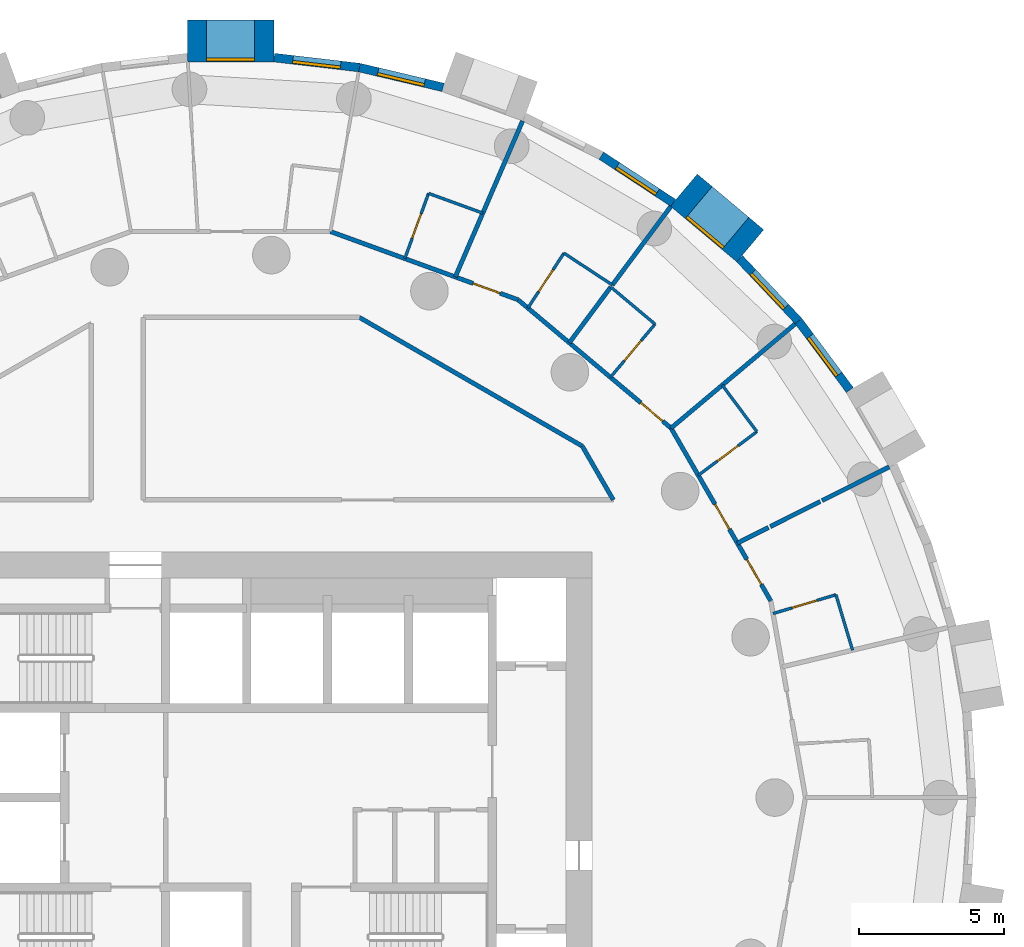
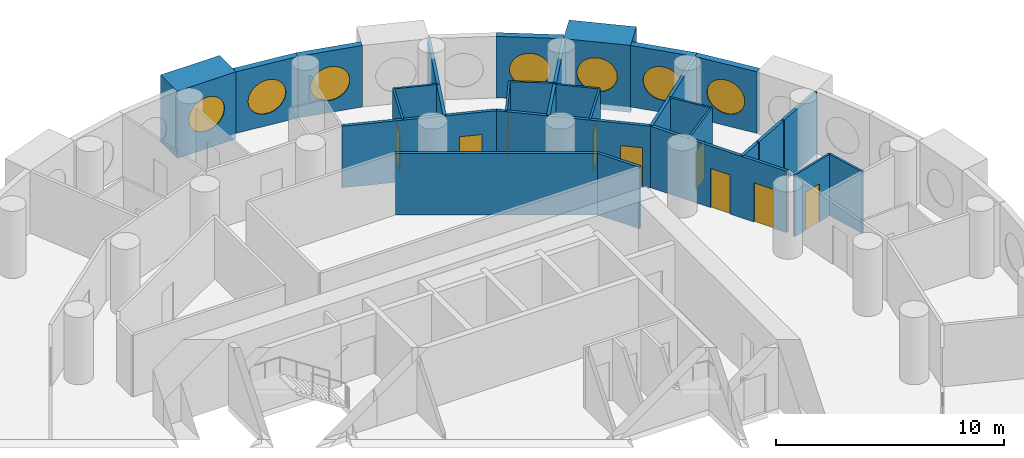
# One storey, part 7 of 9: 29 walls, 9 doors, 7 windows, 16 openings.
"""IFC4 building model written with IfcOpenShell, lengths in metres."""

import ifcopenshell
import ifcopenshell.guid

model = None  # the IFC model being written
_history = None  # IfcOwnerHistory: only IFC2X3 demands one
_inside = {}  # id of a spatial element -> (the spatial element, [elements in it])
_under = {}  # id of a project, library or spatial element -> (it, [spatial elements below it])
_declared = {}  # id of a project -> (the project, [libraries it declares])
_typed = {}  # id of a type object -> (the type object, [elements of that type])
_made_of = {}  # id of a material, layer set ... -> (it, [elements and type objects made of it])


def new_model(schema):
    """Start an empty IFC model of exactly this schema.

    Asked for "IFC4X3", IfcOpenShell would pick the latest addendum, in which some entities
    have other attributes; the version numbers below select the first issue.
    IFC2X3 requires an IfcOwnerHistory on every rooted entity: one is made here for all.
    """
    global model, _history
    if schema == "IFC4X3":
        model = ifcopenshell.file(schema_version=(4, 3, 0, 0))
    else:
        model = ifcopenshell.file(schema=schema)
    _inside.clear()
    _under.clear()
    _declared.clear()
    _typed.clear()
    _made_of.clear()
    _history = None
    if model.schema == "IFC2X3":
        org = make("IfcOrganization", Name="unknown")
        user = make(
            "IfcPersonAndOrganization",
            ThePerson=make("IfcPerson", FamilyName="unknown"),
            TheOrganization=org,
        )
        app = make(
            "IfcApplication",
            ApplicationDeveloper=org,
            Version="unknown",
            ApplicationFullName="unknown",
            ApplicationIdentifier="unknown",
        )
        _history = make(
            "IfcOwnerHistory",
            OwningUser=user,
            OwningApplication=app,
            ChangeAction="ADDED",
            CreationDate=0,
        )
    return model


def make(cls, **values):
    """One entity of the class cls with the attributes given. An attribute that is None is left unset."""
    return model.create_entity(
        cls, **{name: value for name, value in values.items() if value is not None}
    )


def rooted(cls, **values):
    """An entity with a GlobalId (a new one), such as an element, a storey or a relation."""
    return make(cls, GlobalId=ifcopenshell.guid.new(), OwnerHistory=_history, **values)


def si_unit(unit_type, name, prefix=None):
    """IfcSIUnit, for example si_unit("LENGTHUNIT", "METRE", prefix="MILLI")."""
    return make("IfcSIUnit", UnitType=unit_type, Prefix=prefix, Name=name)


def assignment(units):
    """IfcUnitAssignment: the units of a project."""
    return None if units is None else make("IfcUnitAssignment", Units=units)


def point(xyz):
    """IfcCartesianPoint."""
    return None if xyz is None else make("IfcCartesianPoint", Coordinates=xyz)


def direction(xyz):
    """IfcDirection."""
    return None if xyz is None else make("IfcDirection", DirectionRatios=xyz)


def frame(location, z_axis=None, x_axis=None):
    """IfcAxis2Placement3D, a coordinate frame: its origin and axes. An axis left out is left unset."""
    return make(
        "IfcAxis2Placement3D",
        Location=point(location),
        Axis=direction(z_axis),
        RefDirection=direction(x_axis),
    )


def frame_2d(location, x_axis=None):
    """IfcAxis2Placement2D, a coordinate frame in the plane: its origin and x axis."""
    return make(
        "IfcAxis2Placement2D", Location=point(location), RefDirection=direction(x_axis)
    )


def origin():
    """The frame at (0, 0, 0) with its axes left unset."""
    return frame((0.0, 0.0, 0.0))


def origin_2d():
    """The frame at (0, 0) in the plane with its x axis left unset."""
    return frame_2d((0.0, 0.0))


def place(relative_to, where):
    """IfcLocalPlacement: puts the frame where relative to a parent placement (None: the world)."""
    return make(
        "IfcLocalPlacement", PlacementRelTo=relative_to, RelativePlacement=where
    )


def context(
    kind, dimensions, precision=None, world=None, true_north=None, identifier=None
):
    """IfcGeometricRepresentationContext, for example the 3D "Model" context."""
    return make(
        "IfcGeometricRepresentationContext",
        ContextIdentifier=identifier,
        ContextType=kind,
        CoordinateSpaceDimension=dimensions,
        Precision=precision,
        WorldCoordinateSystem=world,
        TrueNorth=true_north,
    )


def subcontext(parent, identifier, kind, view, scale=None):
    """IfcGeometricRepresentationSubContext, for example "Body" below "Model"."""
    return make(
        "IfcGeometricRepresentationSubContext",
        ContextIdentifier=identifier,
        ContextType=kind,
        ParentContext=parent,
        TargetScale=scale,
        TargetView=view,
    )


def project(units=None, contexts=None):
    """IfcProject with its units and contexts."""
    return rooted(
        "IfcProject",
        Name="project",
        RepresentationContexts=contexts,
        UnitsInContext=assignment(units),
    )


def spatial(cls, under=None, at=None, **own):
    """A site, building, storey or space (cls), placed at a placement, below another one or the project."""
    s = rooted(cls, ObjectPlacement=at, **own)
    if under is not None:
        _under.setdefault(under.id(), (under, []))[1].append(s)
    return s


def profile(cls, at=None, kind="AREA", **sizes):
    """A parametric profile (cls). Its sizes go by their IFC names, for example OverallWidth=200.0."""
    return make(cls, ProfileType=kind, Position=at, **sizes)


def rectangle(**sizes):
    """IfcRectangleProfileDef."""
    return profile("IfcRectangleProfileDef", **sizes)


def circle(**sizes):
    """IfcCircleProfileDef."""
    return profile("IfcCircleProfileDef", **sizes)


def extrude(swept, where, along, depth):
    """IfcExtrudedAreaSolid: the profile swept, set in the frame where, extruded along a direction by depth."""
    return make(
        "IfcExtrudedAreaSolid",
        SweptArea=swept,
        Position=where,
        ExtrudedDirection=direction(along),
        Depth=depth,
    )


def shape(context_of_items, identifier, shape_type, items):
    """IfcShapeRepresentation: the items that make up one representation, for example the "Body"."""
    return make(
        "IfcShapeRepresentation",
        ContextOfItems=context_of_items,
        RepresentationIdentifier=identifier,
        RepresentationType=shape_type,
        Items=items,
    )


def material(Name=None, Category=None):
    """IfcMaterial."""
    return make("IfcMaterial", Name=Name, Category=Category)


def layer(
    of_material, thickness, ventilated=None, Name=None, Category=None, Priority=None
):
    """IfcMaterialLayer: one layer of a wall or slab, of a material (None: an air gap)."""
    return make(
        "IfcMaterialLayer",
        Material=of_material,
        LayerThickness=thickness,
        IsVentilated=ventilated,
        Name=Name,
        Category=Category,
        Priority=Priority,
    )


def layer_set(layers, Name=None):
    """IfcMaterialLayerSet."""
    return make("IfcMaterialLayerSet", MaterialLayers=layers, LayerSetName=Name)


def made_of(thing, what):
    """Note that an element or type object is made of a material, layer set ...; save() writes the relation."""
    if what is not None:
        _made_of.setdefault(what.id(), (what, []))[1].append(thing)
    return thing


def type_object(cls, material=None, **own):
    """A type object (cls), such as IfcWallType, which elements share."""
    return made_of(rooted(cls, **own), material)


def element(
    cls,
    number,
    at=None,
    inside=None,
    cuts=None,
    type_object=None,
    material=None,
    context=None,
    identifier="Body",
    shape_type=None,
    held_by="IfcProductDefinitionShape",
    body=None,
    shapes=None,
    **own,
):
    """One element of the class cls, such as IfcWall. Its Tag is "e" and its number.

    at: its placement. inside: the storey or other place that contains it. cuts: it is an
    opening in that element (IfcRelVoidsElement). A single representation is given by context,
    identifier, shape_type and body (its items); several are given by shapes. held_by: the class
    of the entity that holds the representations. save() writes the other relations.
    """
    e = rooted(cls, Tag="e%d" % number, ObjectPlacement=at, **own)
    if body is not None:
        shapes = [shape(context, identifier, shape_type, body)]
    if shapes is not None:
        e.Representation = make(held_by, Representations=shapes)
    if inside is not None:
        _inside.setdefault(inside.id(), (inside, []))[1].append(e)
    if cuts is not None:
        rooted(
            "IfcRelVoidsElement", RelatingBuildingElement=cuts, RelatedOpeningElement=e
        )
    if type_object is not None:
        _typed.setdefault(type_object.id(), (type_object, []))[1].append(e)
    return made_of(e, material)


def fill(opening, filler):
    """IfcRelFillsElement: the door or window that sits in an opening."""
    return rooted(
        "IfcRelFillsElement",
        RelatingOpeningElement=opening,
        RelatedBuildingElement=filler,
    )


def aggregate(whole, parts):
    """IfcRelAggregates: a whole, such as a stair, and the parts it consists of."""
    return rooted("IfcRelAggregates", RelatingObject=whole, RelatedObjects=parts)


def save(model, path):
    """Write the relations noted so far, then the file.

    IfcRelAggregates (storeys below a building ...), IfcRelContainedInSpatialStructure (elements
    in a storey), IfcRelDefinesByType, IfcRelAssociatesMaterial and IfcRelDeclares: one each for
    every whole, place, type object, material and project.
    """
    for whole, parts in _under.values():
        aggregate(whole, parts)
    for where, things in _inside.values():
        rooted(
            "IfcRelContainedInSpatialStructure",
            RelatedElements=things,
            RelatingStructure=where,
        )
    for kind, things in _typed.values():
        rooted("IfcRelDefinesByType", RelatedObjects=things, RelatingType=kind)
    for what, things in _made_of.values():
        rooted("IfcRelAssociatesMaterial", RelatedObjects=things, RelatingMaterial=what)
    for by, libraries in _declared.values():
        rooted("IfcRelDeclares", RelatingContext=by, RelatedDefinitions=libraries)
    model.write(path)


model = new_model("IFC4")

# Units and contexts
model_context = context("Model", 3, precision=1e-05, world=origin(), true_north=direction((0.0, 1.0)))
body_context = subcontext(model_context, "Body", "Model", "MODEL_VIEW")
ifc_project = project(units=[si_unit("LENGTHUNIT", "METRE"), si_unit("AREAUNIT", "SQUARE_METRE"), si_unit("VOLUMEUNIT", "CUBIC_METRE"), si_unit("PLANEANGLEUNIT", "RADIAN"), si_unit("MASSUNIT", "GRAM", prefix="KILO")], contexts=[model_context])

# Site, building, storey
site_placement = place(None, origin())
site = spatial("IfcSite", under=ifc_project, at=site_placement, CompositionType="ELEMENT")
building_placement = place(site_placement, origin())
building = spatial("IfcBuilding", under=site, at=building_placement, Name="Tracery Tower", CompositionType="ELEMENT")
storey_placement = place(building_placement, frame((0.0, 0.0, 162.0)))
storey = spatial("IfcBuildingStorey", under=building, at=storey_placement, Name="L41", CompositionType="ELEMENT", Elevation=162.0)

# Wall, opening, window
ifc_material_1 = material(Name="Precast concrete C50/60", Category="concrete")
ifc_layer_1 = layer(ifc_material_1, 1.449951171875)
ifc_layer_set_1 = layer_set([ifc_layer_1], Name="Deep-set bay unit 3000 x 3600, slab edge 300")
wall_type_1 = type_object("IfcWallType", Name="Deep-set bay unit 3000 x 3600, slab edge 300", PredefinedType="ELEMENTEDWALL", material=ifc_layer_set_1)
wall_1_placement = place(storey_placement, frame((17.9765625, 19.090087890625, -0.300048828125), z_axis=(0.0, 0.0, 1.0), x_axis=(-0.766022196139, 0.642814121673, 0.0)))
wall_1 = element("IfcWall", 1, at=wall_1_placement, inside=storey, type_object=wall_type_1, Name="Deep-set bay unit 8 at L41", PredefinedType="ELEMENTEDWALL", context=body_context, shape_type="SweptSolid", body=[
    extrude(rectangle(XDim=3.0, YDim=1.449951171875, at=frame_2d((1.5, 0.0))), origin(), (0.0, 0.0, 1.0), 3.60009765625),
])
opening_1_placement = place(wall_1_placement, frame((1.5, 0.0, 1.85009765625)))
opening_1 = element("IfcOpeningElement", 2, at=opening_1_placement, cuts=wall_1, Name="Opening WN1", PredefinedType="OPENING", context=body_context, shape_type="SweptSolid", body=[
    extrude(circle(Radius=0.9000244140625, at=origin_2d()), frame((0.0, 0.73486328125, 0.0), z_axis=(0.0, -1.0, 0.0), x_axis=(1.0, 0.0, 0.0)), (0.0, 0.0, 1.0), 1.469970703125),
])
ifc_material_2 = material(Name="Aluminium frame with tinted double glazing", Category="aluminium")
window_type = type_object("IfcWindowType", Name="Round window 1800", PartitioningType="SINGLE_PANEL", PredefinedType="WINDOW", material=ifc_material_2)
window_1_placement = place(opening_1_placement, origin())
window_1 = element("IfcWindow", 3, at=window_1_placement, inside=storey, type_object=window_type, Name="Round window 8 at L41", OverallHeight=1.800048828125, OverallWidth=1.800048828125, PartitioningType="SINGLE_PANEL", PredefinedType="WINDOW", context=body_context, shape_type="SweptSolid", body=[
    extrude(circle(Radius=0.9000244140625, at=origin_2d()), frame((0.0, 0.69482421875, 0.0), z_axis=(0.0, -1.0, 0.0), x_axis=(1.0, 0.0, 0.0)), (0.0, 0.0, 1.0), 0.10009765625),
])
fill(opening_1, window_1)

wall_2_placement = place(storey_placement, frame((1.5, 26.178955078125, -0.300048828125), z_axis=(0.0, 0.0, 1.0), x_axis=(-1.0, 0.0, 0.0)))
wall_2 = element("IfcWall", 4, at=wall_2_placement, inside=storey, type_object=wall_type_1, Name="Deep-set bay unit 14 at L41", PredefinedType="ELEMENTEDWALL", context=body_context, shape_type="SweptSolid", body=[
    extrude(rectangle(XDim=3.0, YDim=1.449951171875, at=frame_2d((1.5, 0.0))), origin(), (0.0, 0.0, 1.0), 3.60009765625),
])
opening_2_placement = place(wall_2_placement, frame((1.5, 0.0, 1.85009765625)))
opening_2 = element("IfcOpeningElement", 5, at=opening_2_placement, cuts=wall_2, Name="Opening WN1", PredefinedType="OPENING", context=body_context, shape_type="SweptSolid", body=[
    extrude(circle(Radius=0.9000244140625, at=origin_2d()), frame((0.0, 0.73486328125, 0.0), z_axis=(0.0, -1.0, 0.0), x_axis=(1.0, 0.0, 0.0)), (0.0, 0.0, 1.0), 1.469970703125),
])
window_2_placement = place(opening_2_placement, origin())
window_2 = element("IfcWindow", 6, at=window_2_placement, inside=storey, type_object=window_type, Name="Round window 14 at L41", OverallHeight=1.800048828125, OverallWidth=1.800048828125, PartitioningType="SINGLE_PANEL", PredefinedType="WINDOW", context=body_context, shape_type="SweptSolid", body=[
    extrude(circle(Radius=0.9000244140625, at=origin_2d()), frame((0.0, 0.69482421875, 0.0), z_axis=(0.0, -1.0, 0.0), x_axis=(1.0, 0.0, 0.0)), (0.0, 0.0, 1.0), 0.10009765625),
])
fill(opening_2, window_2)

ifc_material_3 = material(Name="Precast concrete C50/60", Category="concrete")
ifc_layer_2 = layer(ifc_material_3, 0.300048828125)
ifc_layer_set_2 = layer_set([ifc_layer_2], Name="Facade panel 3000 x 3300")
wall_type_2 = type_object("IfcWallType", Name="Facade panel 3000 x 3300", PredefinedType="SOLIDWALL", material=ifc_layer_set_2)
wall_3_placement = place(storey_placement, frame((21.42236328125, 14.101318359375, 0.0), z_axis=(0.0, 0.0, 1.0), x_axis=(-0.597197580538, 0.80209416517, 0.0)))
wall_3 = element("IfcWall", 7, at=wall_3_placement, inside=storey, type_object=wall_type_2, Name="Facade panel 6 at L41", PredefinedType="SOLIDWALL", context=body_context, shape_type="SweptSolid", body=[
    extrude(rectangle(XDim=2.972900390625, YDim=0.300048828125, at=frame_2d((1.486328125, 0.0))), origin(), (0.0, 0.0, 1.0), 3.300048828125),
])
opening_3_placement = place(wall_3_placement, frame((1.486328125, 0.0, 1.5498046875)))
opening_3 = element("IfcOpeningElement", 8, at=opening_3_placement, cuts=wall_3, Name="Opening WN1", PredefinedType="OPENING", context=body_context, shape_type="SweptSolid", body=[
    extrude(circle(Radius=0.9000244140625, at=origin_2d()), frame((0.0, 0.159912109375, 0.0), z_axis=(0.0, -1.0, 0.0), x_axis=(1.0, 0.0, 0.0)), (0.0, 0.0, 1.0), 0.320068359375),
])
window_3_placement = place(opening_3_placement, origin())
window_3 = element("IfcWindow", 9, at=window_3_placement, inside=storey, type_object=window_type, Name="Round window 6 at L41", OverallHeight=1.800048828125, OverallWidth=1.800048828125, PartitioningType="SINGLE_PANEL", PredefinedType="WINDOW", context=body_context, shape_type="SweptSolid", body=[
    extrude(circle(Radius=0.9000244140625, at=origin_2d()), frame((0.0, 0.1201171875, 0.0), z_axis=(0.0, -1.0, 0.0), x_axis=(1.0, 0.0, 0.0)), (0.0, 0.0, 1.0), 0.10009765625),
])
fill(opening_3, window_3)

wall_4_placement = place(storey_placement, frame((19.64697265625, 16.48583984375, 0.0), z_axis=(0.0, 0.0, 1.0), x_axis=(-0.686235184166, 0.727379730273, 0.0)))
wall_4 = element("IfcWall", 10, at=wall_4_placement, inside=storey, type_object=wall_type_2, Name="Facade panel 7 at L41", PredefinedType="SOLIDWALL", context=body_context, shape_type="SweptSolid", body=[
    extrude(rectangle(XDim=2.972900390625, YDim=0.300048828125, at=frame_2d((1.486328125, 0.0))), origin(), (0.0, 0.0, 1.0), 3.300048828125),
])
opening_4_placement = place(wall_4_placement, frame((1.486328125, 0.0, 1.5498046875)))
opening_4 = element("IfcOpeningElement", 11, at=opening_4_placement, cuts=wall_4, Name="Opening WN1", PredefinedType="OPENING", context=body_context, shape_type="SweptSolid", body=[
    extrude(circle(Radius=0.9000244140625, at=origin_2d()), frame((0.0, 0.159912109375, 0.0), z_axis=(0.0, -1.0, 0.0), x_axis=(1.0, 0.0, 0.0)), (0.0, 0.0, 1.0), 0.320068359375),
])
window_4_placement = place(opening_4_placement, origin())
window_4 = element("IfcWindow", 12, at=window_4_placement, inside=storey, type_object=window_type, Name="Round window 7 at L41", OverallHeight=1.800048828125, OverallWidth=1.800048828125, PartitioningType="SINGLE_PANEL", PredefinedType="WINDOW", context=body_context, shape_type="SweptSolid", body=[
    extrude(circle(Radius=0.9000244140625, at=origin_2d()), frame((0.0, 0.1201171875, 0.0), z_axis=(0.0, -1.0, 0.0), x_axis=(1.0, 0.0, 0.0)), (0.0, 0.0, 1.0), 0.10009765625),
])
fill(opening_4, window_4)

wall_5_placement = place(storey_placement, frame((15.3076171875, 20.57763671875, 0.0), z_axis=(0.0, 0.0, 1.0), x_axis=(-0.835470659512, 0.549535055382, 0.0)))
wall_5 = element("IfcWall", 13, at=wall_5_placement, inside=storey, type_object=wall_type_2, Name="Facade panel 9 at L41", PredefinedType="SOLIDWALL", context=body_context, shape_type="SweptSolid", body=[
    extrude(rectangle(XDim=2.97314453125, YDim=0.300048828125, at=frame_2d((1.486572265625, 0.0))), origin(), (0.0, 0.0, 1.0), 3.300048828125),
])
opening_5_placement = place(wall_5_placement, frame((1.486328125, 0.0, 1.5498046875)))
opening_5 = element("IfcOpeningElement", 14, at=opening_5_placement, cuts=wall_5, Name="Opening WN1", PredefinedType="OPENING", context=body_context, shape_type="SweptSolid", body=[
    extrude(circle(Radius=0.9000244140625, at=origin_2d()), frame((0.0, 0.159912109375, 0.0), z_axis=(0.0, -1.0, 0.0), x_axis=(1.0, 0.0, 0.0)), (0.0, 0.0, 1.0), 0.320068359375),
])
window_5_placement = place(opening_5_placement, origin())
window_5 = element("IfcWindow", 15, at=window_5_placement, inside=storey, type_object=window_type, Name="Round window 9 at L41", OverallHeight=1.800048828125, OverallWidth=1.800048828125, PartitioningType="SINGLE_PANEL", PredefinedType="WINDOW", context=body_context, shape_type="SweptSolid", body=[
    extrude(circle(Radius=0.9000244140625, at=origin_2d()), frame((0.0, 0.1201171875, 0.0), z_axis=(0.0, -1.0, 0.0), x_axis=(1.0, 0.0, 0.0)), (0.0, 0.0, 1.0), 0.10009765625),
])
fill(opening_5, window_5)

wall_6_placement = place(storey_placement, frame((7.346435546875, 24.572265625, 0.0), z_axis=(0.0, 0.0, 1.0), x_axis=(-0.973049746156, 0.230595298102, 0.0)))
wall_6 = element("IfcWall", 16, at=wall_6_placement, inside=storey, type_object=wall_type_2, Name="Facade panel 12 at L41", PredefinedType="SOLIDWALL", context=body_context, shape_type="SweptSolid", body=[
    extrude(rectangle(XDim=2.972900390625, YDim=0.300048828125, at=frame_2d((1.486328125, 0.0))), origin(), (0.0, 0.0, 1.0), 3.300048828125),
])
opening_6_placement = place(wall_6_placement, frame((1.486328125, 0.0, 1.5498046875)))
opening_6 = element("IfcOpeningElement", 17, at=opening_6_placement, cuts=wall_6, Name="Opening WN1", PredefinedType="OPENING", context=body_context, shape_type="SweptSolid", body=[
    extrude(circle(Radius=0.9000244140625, at=origin_2d()), frame((0.0, 0.159912109375, 0.0), z_axis=(0.0, -1.0, 0.0), x_axis=(1.0, 0.0, 0.0)), (0.0, 0.0, 1.0), 0.320068359375),
])
window_6_placement = place(opening_6_placement, origin())
window_6 = element("IfcWindow", 18, at=window_6_placement, inside=storey, type_object=window_type, Name="Round window 12 at L41", OverallHeight=1.800048828125, OverallWidth=1.800048828125, PartitioningType="SINGLE_PANEL", PredefinedType="WINDOW", context=body_context, shape_type="SweptSolid", body=[
    extrude(circle(Radius=0.9000244140625, at=origin_2d()), frame((0.0, 0.1201171875, 0.0), z_axis=(0.0, -1.0, 0.0), x_axis=(1.0, 0.0, 0.0)), (0.0, 0.0, 1.0), 0.10009765625),
])
fill(opening_6, window_6)

wall_7_placement = place(storey_placement, frame((4.45361328125, 25.2578125, 0.0), z_axis=(0.0, 0.0, 1.0), x_axis=(-0.993235542767, 0.116116995244, 0.0)))
wall_7 = element("IfcWall", 19, at=wall_7_placement, inside=storey, type_object=wall_type_2, Name="Facade panel 13 at L41", PredefinedType="SOLIDWALL", context=body_context, shape_type="SweptSolid", body=[
    extrude(rectangle(XDim=2.972900390625, YDim=0.300048828125, at=frame_2d((1.486328125, 0.0))), origin(), (0.0, 0.0, 1.0), 3.300048828125),
])
opening_7_placement = place(wall_7_placement, frame((1.486328125, 0.0, 1.5498046875)))
opening_7 = element("IfcOpeningElement", 20, at=opening_7_placement, cuts=wall_7, Name="Opening WN1", PredefinedType="OPENING", context=body_context, shape_type="SweptSolid", body=[
    extrude(circle(Radius=0.9000244140625, at=origin_2d()), frame((0.0, 0.159912109375, 0.0), z_axis=(0.0, -1.0, 0.0), x_axis=(1.0, 0.0, 0.0)), (0.0, 0.0, 1.0), 0.320068359375),
])
window_7_placement = place(opening_7_placement, origin())
window_7 = element("IfcWindow", 21, at=window_7_placement, inside=storey, type_object=window_type, Name="Round window 13 at L41", OverallHeight=1.800048828125, OverallWidth=1.800048828125, PartitioningType="SINGLE_PANEL", PredefinedType="WINDOW", context=body_context, shape_type="SweptSolid", body=[
    extrude(circle(Radius=0.9000244140625, at=origin_2d()), frame((0.0, 0.1201171875, 0.0), z_axis=(0.0, -1.0, 0.0), x_axis=(1.0, 0.0, 0.0)), (0.0, 0.0, 1.0), 0.10009765625),
])
fill(opening_7, window_7)

# Wall
ifc_material_4 = material(Name="Plasterboard on steel studs", Category="steel")
ifc_layer_3 = layer(ifc_material_4, 0.10009765625)
ifc_layer_set_3 = layer_set([ifc_layer_3], Name="Partition 100 wet wall")
wall_type_3 = type_object("IfcWallType", Name="Partition 100 wet wall", PredefinedType="PARTITIONING", material=ifc_layer_set_3)
wall_8_placement = place(storey_placement, frame((20.94091796875, 7.01806640625, 0.0), z_axis=(0.0, 0.0, 1.0), x_axis=(0.287124264191, -0.957893343182, 0.0)))
element("IfcWall", 22, at=wall_8_placement, inside=storey, type_object=wall_type_3, Name="Wet wall RB4-043", PredefinedType="PARTITIONING", context=body_context, shape_type="SweptSolid", body=[
    extrude(rectangle(XDim=2.00341796875, YDim=0.10009765625, at=frame_2d((1.001708984375, 0.0))), origin(), (0.0, 0.0, 1.0), 3.300048828125),
])

# Wall, opening, door
wall_9_placement = place(storey_placement, frame((18.764892578125, 6.366943359375, 0.0), z_axis=(0.0, 0.0, 1.0), x_axis=(0.958030169919, 0.286667391807, 0.0)))
wall_9 = element("IfcWall", 23, at=wall_9_placement, inside=storey, type_object=wall_type_3, Name="Wet wall RB4-044", PredefinedType="PARTITIONING", context=body_context, shape_type="SweptSolid", body=[
    extrude(rectangle(XDim=2.271240234375, YDim=0.10009765625, at=frame_2d((1.1357421875, 0.0))), origin(), (0.0, 0.0, 1.0), 3.300048828125),
])
opening_8_placement = place(wall_9_placement, frame((0.685302734375, 0.0, 0.0)))
opening_8 = element("IfcOpeningElement", 24, at=opening_8_placement, cuts=wall_9, Name="Opening RB4-07", PredefinedType="OPENING", context=body_context, shape_type="SweptSolid", body=[
    extrude(rectangle(XDim=0.89990234375, YDim=2.0400390625, at=frame_2d((0.449951171875, 1.02001953125))), frame((0.0, 0.050048828125, 0.0), z_axis=(0.0, -1.0, 0.0), x_axis=(1.0, 0.0, 0.0)), (0.0, 0.0, 1.0), 0.10009765625),
])
ifc_material_5 = material(Name="Timber door leaf", Category="wood")
door_type_1 = type_object("IfcDoorType", Name="Door en-suite 900", OperationType="NOTDEFINED", PredefinedType="DOOR", material=ifc_material_5)
door_1_placement = place(opening_8_placement, origin())
door_1 = element("IfcDoor", 25, at=door_1_placement, inside=storey, type_object=door_type_1, Name="En-suite door RB4-07", OperationType="SINGLE_SWING_RIGHT", OverallHeight=2.0400390625, OverallWidth=0.89990234375, PredefinedType="DOOR", context=body_context, shape_type="SweptSolid", body=[
    extrude(rectangle(XDim=0.89990234375, YDim=2.0400390625, at=frame_2d((0.449951171875, 1.02001953125))), frame((0.0, 0.02490234375, 0.0), z_axis=(0.0, -1.0, 0.0), x_axis=(1.0, 0.0, 0.0)), (0.0, 0.0, 1.0), 0.050048828125),
])
fill(opening_8, door_1)

wall_10_placement = place(storey_placement, frame((16.177978515625, 11.14990234375, 0.0), z_axis=(0.0, 0.0, 1.0), x_axis=(0.8020923136, 0.597200067367, 0.0)))
wall_10 = element("IfcWall", 26, at=wall_10_placement, inside=storey, type_object=wall_type_3, Name="Wet wall RB4-048", PredefinedType="PARTITIONING", context=body_context, shape_type="SweptSolid", body=[
    extrude(rectangle(XDim=2.528564453125, YDim=0.10009765625, at=frame_2d((1.26416015625, 0.0))), origin(), (0.0, 0.0, 1.0), 3.300048828125),
])
opening_9_placement = place(wall_10_placement, frame((0.81396484375, 0.0, 0.0)))
opening_9 = element("IfcOpeningElement", 27, at=opening_9_placement, cuts=wall_10, Name="Opening RB4-09", PredefinedType="OPENING", context=body_context, shape_type="SweptSolid", body=[
    extrude(rectangle(XDim=0.89990234375, YDim=2.0400390625, at=frame_2d((0.449951171875, 1.02001953125))), frame((0.0, 0.050048828125, 0.0), z_axis=(0.0, -1.0, 0.0), x_axis=(1.0, 0.0, 0.0)), (0.0, 0.0, 1.0), 0.10009765625),
])
door_2_placement = place(opening_9_placement, origin())
door_2 = element("IfcDoor", 28, at=door_2_placement, inside=storey, type_object=door_type_1, Name="En-suite door RB4-09", OperationType="SINGLE_SWING_LEFT", OverallHeight=2.0400390625, OverallWidth=0.89990234375, PredefinedType="DOOR", context=body_context, shape_type="SweptSolid", body=[
    extrude(rectangle(XDim=0.89990234375, YDim=2.0400390625, at=frame_2d((0.449951171875, 1.02001953125))), frame((0.0, 0.02490234375, 0.0), z_axis=(0.0, -1.0, 0.0), x_axis=(1.0, 0.0, 0.0)), (0.0, 0.0, 1.0), 0.050048828125),
])
fill(opening_9, door_2)

# Wall
wall_11_placement = place(storey_placement, frame((17.007080078125, 14.27099609375, 0.0), z_axis=(0.0, 0.0, 1.0), x_axis=(0.597019866774, -0.802226450996, 0.0)))
element("IfcWall", 29, at=wall_11_placement, inside=storey, type_object=wall_type_3, Name="Wet wall RB4-049", PredefinedType="PARTITIONING", context=body_context, shape_type="SweptSolid", body=[
    extrude(rectangle(XDim=2.00830078125, YDim=0.10009765625, at=frame_2d((1.004150390625, 0.0))), origin(), (0.0, 0.0, 1.0), 3.300048828125),
])

# Wall, opening, door
wall_12_placement = place(storey_placement, frame((13.138916015625, 14.5419921875, 0.0), z_axis=(0.0, 0.0, 1.0), x_axis=(0.642731657745, 0.766091388891, 0.0)))
wall_12 = element("IfcWall", 30, at=wall_12_placement, inside=storey, type_object=wall_type_3, Name="Wet wall RB4-051", PredefinedType="PARTITIONING", context=body_context, shape_type="SweptSolid", body=[
    extrude(rectangle(XDim=2.400634765625, YDim=0.10009765625, at=frame_2d((1.2001953125, 0.0))), origin(), (0.0, 0.0, 1.0), 3.300048828125),
])
opening_10_placement = place(wall_12_placement, frame((0.75, 0.0, 0.0)))
opening_10 = element("IfcOpeningElement", 31, at=opening_10_placement, cuts=wall_12, Name="Opening RB4-11", PredefinedType="OPENING", context=body_context, shape_type="SweptSolid", body=[
    extrude(rectangle(XDim=0.89990234375, YDim=2.0400390625, at=frame_2d((0.449951171875, 1.02001953125))), frame((0.0, 0.050048828125, 0.0), z_axis=(0.0, -1.0, 0.0), x_axis=(1.0, 0.0, 0.0)), (0.0, 0.0, 1.0), 0.10009765625),
])
door_3_placement = place(opening_10_placement, origin())
door_3 = element("IfcDoor", 32, at=door_3_placement, inside=storey, type_object=door_type_1, Name="En-suite door RB4-11", OperationType="SINGLE_SWING_LEFT", OverallHeight=2.0400390625, OverallWidth=0.89990234375, PredefinedType="DOOR", context=body_context, shape_type="SweptSolid", body=[
    extrude(rectangle(XDim=0.89990234375, YDim=2.0400390625, at=frame_2d((0.449951171875, 1.02001953125))), frame((0.0, 0.02490234375, 0.0), z_axis=(0.0, -1.0, 0.0), x_axis=(1.0, 0.0, 0.0)), (0.0, 0.0, 1.0), 0.050048828125),
])
fill(opening_10, door_3)

# Walls
wall_13_placement = place(storey_placement, frame((13.15087890625, 17.6650390625, 0.0), z_axis=(0.0, 0.0, 1.0), x_axis=(0.766224532916, -0.642572925945, 0.0)))
element("IfcWall", 33, at=wall_13_placement, inside=storey, type_object=wall_type_3, Name="Wet wall RB4-052", PredefinedType="PARTITIONING", context=body_context, shape_type="SweptSolid", body=[
    extrude(rectangle(XDim=1.998046875, YDim=0.10009765625, at=frame_2d((0.9990234375, 0.0))), origin(), (0.0, 0.0, 1.0), 3.300048828125),
])
wall_14_placement = place(storey_placement, frame((11.531005859375, 18.8369140625, 0.0), z_axis=(0.0, 0.0, 1.0), x_axis=(0.835392041163, -0.549654562032, 0.0)))
element("IfcWall", 34, at=wall_14_placement, inside=storey, type_object=wall_type_3, Name="Wet wall RB4-055", PredefinedType="PARTITIONING", context=body_context, shape_type="SweptSolid", body=[
    extrude(rectangle(XDim=2.002685546875, YDim=0.10009765625, at=frame_2d((1.00146484375, 0.0))), origin(), (0.0, 0.0, 1.0), 3.300048828125),
])

# Wall, opening, door
wall_15_placement = place(storey_placement, frame((10.281982421875, 16.93896484375, 0.0), z_axis=(0.0, 0.0, 1.0), x_axis=(0.549730960803, 0.83534176882, 0.0)))
wall_15 = element("IfcWall", 35, at=wall_15_placement, inside=storey, type_object=wall_type_3, Name="Wet wall RB4-056", PredefinedType="PARTITIONING", context=body_context, shape_type="SweptSolid", body=[
    extrude(rectangle(XDim=2.27197265625, YDim=0.10009765625, at=frame_2d((1.135986328125, 0.0))), origin(), (0.0, 0.0, 1.0), 3.300048828125),
])
opening_11_placement = place(wall_15_placement, frame((0.68603515625, 0.0, 0.0)))
opening_11 = element("IfcOpeningElement", 36, at=opening_11_placement, cuts=wall_15, Name="Opening RB4-13", PredefinedType="OPENING", context=body_context, shape_type="SweptSolid", body=[
    extrude(rectangle(XDim=0.89990234375, YDim=2.0400390625, at=frame_2d((0.449951171875, 1.02001953125))), frame((0.0, 0.050048828125, 0.0), z_axis=(0.0, -1.0, 0.0), x_axis=(1.0, 0.0, 0.0)), (0.0, 0.0, 1.0), 0.10009765625),
])
door_4_placement = place(opening_11_placement, origin())
door_4 = element("IfcDoor", 37, at=door_4_placement, inside=storey, type_object=door_type_1, Name="En-suite door RB4-13", OperationType="SINGLE_SWING_LEFT", OverallHeight=2.0400390625, OverallWidth=0.89990234375, PredefinedType="DOOR", context=body_context, shape_type="SweptSolid", body=[
    extrude(rectangle(XDim=0.89990234375, YDim=2.0400390625, at=frame_2d((0.449951171875, 1.02001953125))), frame((0.0, 0.02490234375, 0.0), z_axis=(0.0, -1.0, 0.0), x_axis=(1.0, 0.0, 0.0)), (0.0, 0.0, 1.0), 0.050048828125),
])
fill(opening_11, door_4)

# Wall
wall_16_placement = place(storey_placement, frame((6.844970703125, 20.905029296875, 0.0), z_axis=(0.0, 0.0, 1.0), x_axis=(0.939757747305, -0.341841156651, 0.0)))
element("IfcWall", 38, at=wall_16_placement, inside=storey, type_object=wall_type_3, Name="Wet wall RB4-064", PredefinedType="PARTITIONING", context=body_context, shape_type="SweptSolid", body=[
    extrude(rectangle(XDim=1.998291015625, YDim=0.10009765625, at=frame_2d((0.9990234375, 0.0))), origin(), (0.0, 0.0, 1.0), 3.300048828125),
])

# Wall, opening, door
wall_17_placement = place(storey_placement, frame((6.02392578125, 18.64990234375, 0.0), z_axis=(0.0, 0.0, 1.0), x_axis=(0.342110593602, 0.939659694648, 0.0)))
wall_17 = element("IfcWall", 39, at=wall_17_placement, inside=storey, type_object=wall_type_3, Name="Wet wall RB4-065", PredefinedType="PARTITIONING", context=body_context, shape_type="SweptSolid", body=[
    extrude(rectangle(XDim=2.39990234375, YDim=0.10009765625, at=frame_2d((1.199951171875, 0.0))), origin(), (0.0, 0.0, 1.0), 3.300048828125),
])
opening_12_placement = place(wall_17_placement, frame((0.749755859375, 0.0, 0.0)))
opening_12 = element("IfcOpeningElement", 40, at=opening_12_placement, cuts=wall_17, Name="Opening RB4-19", PredefinedType="OPENING", context=body_context, shape_type="SweptSolid", body=[
    extrude(rectangle(XDim=0.89990234375, YDim=2.0400390625, at=frame_2d((0.449951171875, 1.02001953125))), frame((0.0, 0.050048828125, 0.0), z_axis=(0.0, -1.0, 0.0), x_axis=(1.0, 0.0, 0.0)), (0.0, 0.0, 1.0), 0.10009765625),
])
door_5_placement = place(opening_12_placement, origin())
door_5 = element("IfcDoor", 41, at=door_5_placement, inside=storey, type_object=door_type_1, Name="En-suite door RB4-19", OperationType="SINGLE_SWING_RIGHT", OverallHeight=2.0400390625, OverallWidth=0.89990234375, PredefinedType="DOOR", context=body_context, shape_type="SweptSolid", body=[
    extrude(rectangle(XDim=0.89990234375, YDim=2.0400390625, at=frame_2d((0.449951171875, 1.02001953125))), frame((0.0, 0.02490234375, 0.0), z_axis=(0.0, -1.0, 0.0), x_axis=(1.0, 0.0, 0.0)), (0.0, 0.0, 1.0), 0.050048828125),
])
fill(opening_12, door_5)

# Walls
ifc_material_6 = material(Name="Plasterboard on steel studs", Category="steel")
ifc_layer_4 = layer(ifc_material_6, 0.14990234375)
ifc_layer_set_4 = layer_set([ifc_layer_4], Name="Partition 150 acoustic unit wall")
wall_type_4 = type_object("IfcWallType", Name="Partition 150 acoustic unit wall", PredefinedType="PARTITIONING", material=ifc_layer_set_4)
wall_18_placement = place(storey_placement, frame((17.531982421875, 8.804931640625, 0.0), z_axis=(0.0, 0.0, 1.0), x_axis=(0.893574741649, 0.448914447403, 0.0)))
element("IfcWall", 42, at=wall_18_placement, inside=storey, type_object=wall_type_4, Name="Unit wall RB4-045", PredefinedType="PARTITIONING", context=body_context, shape_type="SweptSolid", body=[
    extrude(rectangle(XDim=1.205078125, YDim=0.14990234375, at=frame_2d((0.6025390625, 0.0))), origin(), (0.0, 0.0, 1.0), 3.300048828125),
])
wall_19_placement = place(storey_placement, frame((20.4599609375, 10.27490234375, 0.0), z_axis=(0.0, 0.0, 1.0), x_axis=(0.893543449143, 0.448976730458, 0.0)))
element("IfcWall", 43, at=wall_19_placement, inside=storey, type_object=wall_type_4, Name="Unit wall RB4-046", PredefinedType="PARTITIONING", context=body_context, shape_type="SweptSolid", body=[
    extrude(rectangle(XDim=2.60205078125, YDim=0.14990234375, at=frame_2d((1.301025390625, 0.0))), origin(), (0.0, 0.0, 1.0), 3.300048828125),
])
wall_20_placement = place(storey_placement, frame((18.669921875, 9.3759765625, 0.0), z_axis=(0.0, 0.0, 1.0), x_axis=(0.893466318026, 0.449130202227, 0.0)))
element("IfcWall", 44, at=wall_20_placement, inside=storey, type_object=wall_type_4, Name="Unit wall RB4-047", PredefinedType="PARTITIONING", context=body_context, shape_type="SweptSolid", body=[
    extrude(rectangle(XDim=1.93505859375, YDim=0.14990234375, at=frame_2d((0.967529296875, 0.0))), origin(), (0.0, 0.0, 1.0), 3.300048828125),
])
wall_21_placement = place(storey_placement, frame((15.235107421875, 12.78369140625, 0.0), z_axis=(0.0, 0.0, 1.0), x_axis=(0.766069165353, 0.642758145725, 0.0)))
element("IfcWall", 45, at=wall_21_placement, inside=storey, type_object=wall_type_4, Name="Unit wall RB4-050", PredefinedType="PARTITIONING", context=body_context, shape_type="SweptSolid", body=[
    extrude(rectangle(XDim=5.60888671875, YDim=0.14990234375, at=frame_2d((2.804443359375, 0.0))), origin(), (0.0, 0.0, 1.0), 3.300048828125),
])
wall_22_placement = place(storey_placement, frame((13.201904296875, 17.73291015625, 0.0), z_axis=(0.0, 0.0, 1.0), x_axis=(0.597149819296, 0.802129723495, 0.0)))
element("IfcWall", 46, at=wall_22_placement, inside=storey, type_object=wall_type_4, Name="Unit wall RB4-053", PredefinedType="PARTITIONING", context=body_context, shape_type="SweptSolid", body=[
    extrude(rectangle(XDim=3.3896484375, YDim=0.14990234375, at=frame_2d((1.69482421875, 0.0))), origin(), (0.0, 0.0, 1.0), 3.300048828125),
])
wall_23_placement = place(storey_placement, frame((11.716064453125, 15.737060546875, 0.0), z_axis=(0.0, 0.0, 1.0), x_axis=(0.597021412293, 0.802225300813, 0.0)))
element("IfcWall", 47, at=wall_23_placement, inside=storey, type_object=wall_type_4, Name="Unit wall RB4-054", PredefinedType="PARTITIONING", context=body_context, shape_type="SweptSolid", body=[
    extrude(rectangle(XDim=2.4033203125, YDim=0.14990234375, at=frame_2d((1.20166015625, 0.0))), origin(), (0.0, 0.0, 1.0), 3.300048828125),
])
wall_24_placement = place(storey_placement, frame((7.769775390625, 18.0146484375, 0.0), z_axis=(0.0, 0.0, 1.0), x_axis=(0.396238716554, 0.918147526002, 0.0)))
element("IfcWall", 48, at=wall_24_placement, inside=storey, type_object=wall_type_4, Name="Unit wall RB4-057", PredefinedType="PARTITIONING", context=body_context, shape_type="SweptSolid", body=[
    extrude(rectangle(XDim=5.878662109375, YDim=0.14990234375, at=frame_2d((2.939453125, 0.0))), origin(), (0.0, 0.0, 1.0), 3.300048828125),
])
ifc_material_7 = material(Name="Plasterboard on steel studs", Category="steel")
ifc_layer_5 = layer(ifc_material_7, 0.14990234375)
ifc_layer_set_5 = layer_set([ifc_layer_5], Name="Partition 150 corridor wall")
wall_type_5 = type_object("IfcWallType", Name="Partition 150 corridor wall", PredefinedType="PARTITIONING", material=ifc_layer_set_5)
wall_25_placement = place(storey_placement, frame((12.162109375, 12.162109375, 0.0), z_axis=(0.0, 0.0, 1.0), x_axis=(0.499961633463, -0.866047553582, 0.0)))
element("IfcWall", 49, at=wall_25_placement, inside=storey, type_object=wall_type_5, Name="Corridor wall RB4-005", PredefinedType="PARTITIONING", context=body_context, shape_type="SweptSolid", body=[
    extrude(rectangle(XDim=2.150146484375, YDim=0.14990234375, at=frame_2d((1.0751953125, 0.0))), origin(), (0.0, 0.0, 1.0), 3.300048828125),
])

# Wall, openings, doors
wall_26_placement = place(storey_placement, frame((15.23486328125, 12.783935546875, 0.0), z_axis=(0.0, 0.0, 1.0), x_axis=(0.499940714931, -0.86605962933, 0.0)))
wall_26 = element("IfcWall", 50, at=wall_26_placement, inside=storey, type_object=wall_type_5, Name="Corridor wall RB4-008", PredefinedType="PARTITIONING", context=body_context, shape_type="SweptSolid", body=[
    extrude(rectangle(XDim=6.906982421875, YDim=0.14990234375, at=frame_2d((3.45361328125, 0.0))), origin(), (0.0, 0.0, 1.0), 3.300048828125),
])
opening_13_placement = place(wall_26_placement, frame((5.248779296875, 0.0, 0.0)))
opening_13 = element("IfcOpeningElement", 51, at=opening_13_placement, cuts=wall_26, Name="Opening RB4-08", PredefinedType="OPENING", context=body_context, shape_type="SweptSolid", body=[
    extrude(rectangle(XDim=1.0, YDim=2.10009765625, at=frame_2d((0.5, 1.050048828125))), frame((0.0, 0.074951171875, 0.0), z_axis=(0.0, -1.0, 0.0), x_axis=(1.0, 0.0, 0.0)), (0.0, 0.0, 1.0), 0.14990234375),
])
opening_14_placement = place(wall_26_placement, frame((3.041015625, 0.0, 0.0)))
opening_14 = element("IfcOpeningElement", 52, at=opening_14_placement, cuts=wall_26, Name="Opening RB4-10", PredefinedType="OPENING", context=body_context, shape_type="SweptSolid", body=[
    extrude(rectangle(XDim=1.0, YDim=2.10009765625, at=frame_2d((0.5, 1.050048828125))), frame((0.0, 0.074951171875, 0.0), z_axis=(0.0, -1.0, 0.0), x_axis=(1.0, 0.0, 0.0)), (0.0, 0.0, 1.0), 0.14990234375),
])
ifc_material_8 = material(Name="Timber door leaf", Category="wood")
door_type_2 = type_object("IfcDoorType", Name="Door unit entrance 1000", OperationType="NOTDEFINED", PredefinedType="DOOR", material=ifc_material_8)
door_6_placement = place(opening_13_placement, origin())
door_6 = element("IfcDoor", 53, at=door_6_placement, inside=storey, type_object=door_type_2, Name="Unit entrance door RB4-08", OperationType="SINGLE_SWING_LEFT", OverallHeight=2.10009765625, OverallWidth=1.0, PredefinedType="DOOR", context=body_context, shape_type="SweptSolid", body=[
    extrude(rectangle(XDim=1.0, YDim=2.10009765625, at=frame_2d((0.5, 1.050048828125))), frame((0.0, 0.02490234375, 0.0), z_axis=(0.0, -1.0, 0.0), x_axis=(1.0, 0.0, 0.0)), (0.0, 0.0, 1.0), 0.050048828125),
])
fill(opening_13, door_6)
door_7_placement = place(opening_14_placement, origin())
door_7 = element("IfcDoor", 54, at=door_7_placement, inside=storey, type_object=door_type_2, Name="Unit entrance door RB4-10", OperationType="SINGLE_SWING_RIGHT", OverallHeight=2.10009765625, OverallWidth=1.0, PredefinedType="DOOR", context=body_context, shape_type="SweptSolid", body=[
    extrude(rectangle(XDim=1.0, YDim=2.10009765625, at=frame_2d((0.5, 1.050048828125))), frame((0.0, 0.02490234375, 0.0), z_axis=(0.0, -1.0, 0.0), x_axis=(1.0, 0.0, 0.0)), (0.0, 0.0, 1.0), 0.050048828125),
])
fill(opening_14, door_7)

# Wall, opening, door
wall_27_placement = place(storey_placement, frame((9.943359375, 17.22216796875, 0.0), z_axis=(0.0, 0.0, 1.0), x_axis=(0.766192104565, -0.642611592567, 0.0)))
wall_27 = element("IfcWall", 55, at=wall_27_placement, inside=storey, type_object=wall_type_5, Name="Corridor wall RB4-009", PredefinedType="PARTITIONING", context=body_context, shape_type="SweptSolid", body=[
    extrude(rectangle(XDim=6.906494140625, YDim=0.14990234375, at=frame_2d((3.453125, 0.0))), origin(), (0.0, 0.0, 1.0), 3.300048828125),
])
opening_15_placement = place(wall_27_placement, frame((5.53662109375, 0.0, 0.0)))
opening_15 = element("IfcOpeningElement", 56, at=opening_15_placement, cuts=wall_27, Name="Opening RB4-12", PredefinedType="OPENING", context=body_context, shape_type="SweptSolid", body=[
    extrude(rectangle(XDim=1.0, YDim=2.10009765625, at=frame_2d((0.5, 1.050048828125))), frame((0.0, 0.074951171875, 0.0), z_axis=(0.0, -1.0, 0.0), x_axis=(1.0, 0.0, 0.0)), (0.0, 0.0, 1.0), 0.14990234375),
])
door_8_placement = place(opening_15_placement, origin())
door_8 = element("IfcDoor", 57, at=door_8_placement, inside=storey, type_object=door_type_2, Name="Unit entrance door RB4-12", OperationType="SINGLE_SWING_RIGHT", OverallHeight=2.10009765625, OverallWidth=1.0, PredefinedType="DOOR", context=body_context, shape_type="SweptSolid", body=[
    extrude(rectangle(XDim=1.0, YDim=2.10009765625, at=frame_2d((0.5, 1.050048828125))), frame((0.0, 0.02490234375, 0.0), z_axis=(0.0, -1.0, 0.0), x_axis=(1.0, 0.0, 0.0)), (0.0, 0.0, 1.0), 0.050048828125),
])
fill(opening_15, door_8)

# Wall
wall_28_placement = place(storey_placement, frame((4.451904296875, 16.614013671875, 0.0), z_axis=(0.0, 0.0, 1.0), x_axis=(0.866005203721, -0.500034985904, 0.0)))
element("IfcWall", 58, at=wall_28_placement, inside=storey, type_object=wall_type_5, Name="Corridor wall RB4-015", PredefinedType="PARTITIONING", context=body_context, shape_type="SweptSolid", body=[
    extrude(rectangle(XDim=8.903076171875, YDim=0.14990234375, at=frame_2d((4.45166015625, 0.0))), origin(), (0.0, 0.0, 1.0), 3.300048828125),
])

# Wall, opening, door
wall_29_placement = place(storey_placement, frame((3.452392578125, 19.584716796875, 0.0), z_axis=(0.0, 0.0, 1.0), x_axis=(0.939737689664, -0.341896292208, 0.0)))
wall_29 = element("IfcWall", 59, at=wall_29_placement, inside=storey, type_object=wall_type_5, Name="Corridor wall RB4-018", PredefinedType="PARTITIONING", context=body_context, shape_type="SweptSolid", body=[
    extrude(rectangle(XDim=6.907958984375, YDim=0.14990234375, at=frame_2d((3.4541015625, 0.0))), origin(), (0.0, 0.0, 1.0), 3.300048828125),
])
opening_16_placement = place(wall_29_placement, frame((5.2490234375, 0.0, 0.0)))
opening_16 = element("IfcOpeningElement", 60, at=opening_16_placement, cuts=wall_29, Name="Opening RB4-14", PredefinedType="OPENING", context=body_context, shape_type="SweptSolid", body=[
    extrude(rectangle(XDim=1.0, YDim=2.10009765625, at=frame_2d((0.5, 1.050048828125))), frame((0.0, 0.074951171875, 0.0), z_axis=(0.0, -1.0, 0.0), x_axis=(1.0, 0.0, 0.0)), (0.0, 0.0, 1.0), 0.14990234375),
])
door_9_placement = place(opening_16_placement, origin())
door_9 = element("IfcDoor", 61, at=door_9_placement, inside=storey, type_object=door_type_2, Name="Unit entrance door RB4-14", OperationType="SINGLE_SWING_LEFT", OverallHeight=2.10009765625, OverallWidth=1.0, PredefinedType="DOOR", context=body_context, shape_type="SweptSolid", body=[
    extrude(rectangle(XDim=1.0, YDim=2.10009765625, at=frame_2d((0.5, 1.050048828125))), frame((0.0, 0.02490234375, 0.0), z_axis=(0.0, -1.0, 0.0), x_axis=(1.0, 0.0, 0.0)), (0.0, 0.0, 1.0), 0.050048828125),
])
fill(opening_16, door_9)

save(model, "model.ifc")
